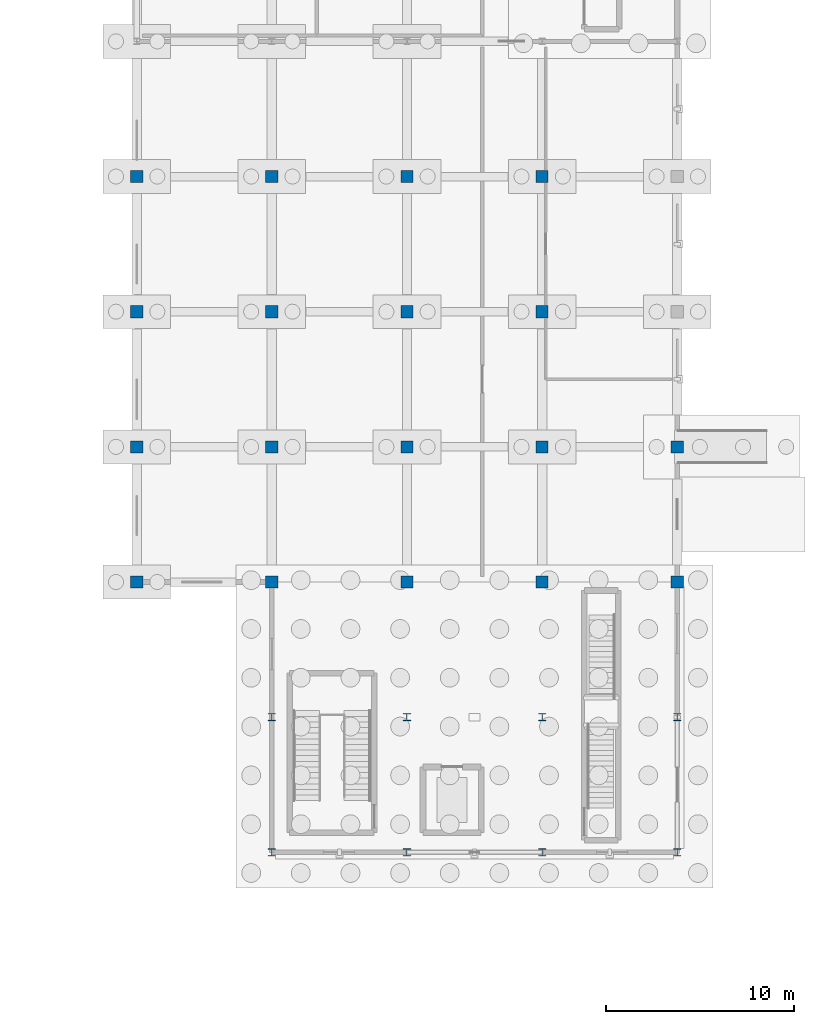
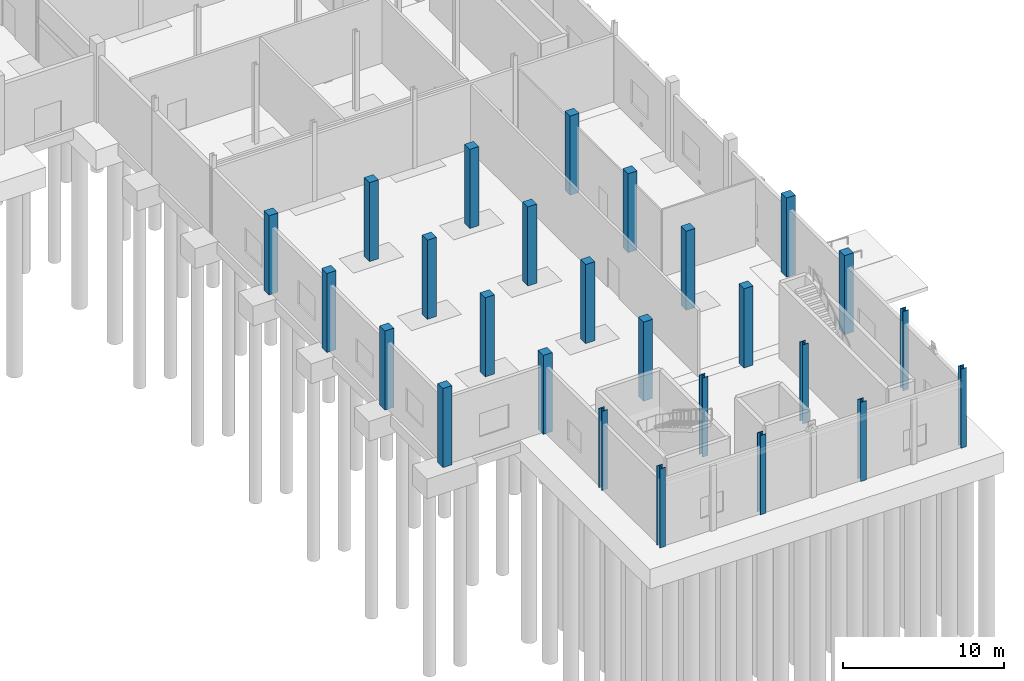
# One storey, part 11 of 45: 26 columns.
"""IFC4 building model written with IfcOpenShell, lengths in metres."""

from ifc_helpers import new_model, si_unit, direction, frame, origin, origin_2d, place, context, subcontext, project, spatial, rectangle, i_section, extrude, material, material_profile, profile_set, type_object, element, save


model = new_model("IFC4")

# Units and contexts
model_context = context("Model", 3, precision=1e-05, world=origin(), true_north=direction((0.0, 1.0)))
body_context = subcontext(model_context, "Body", "Model", "MODEL_VIEW")
ifc_project = project(units=[si_unit("LENGTHUNIT", "METRE"), si_unit("AREAUNIT", "SQUARE_METRE"), si_unit("VOLUMEUNIT", "CUBIC_METRE"), si_unit("PLANEANGLEUNIT", "RADIAN"), si_unit("MASSUNIT", "GRAM", prefix="KILO")], contexts=[model_context])

# Site, building, storey
site_placement = place(None, origin())
site = spatial("IfcSite", under=ifc_project, at=site_placement, CompositionType="ELEMENT")
building_placement = place(site_placement, origin())
building = spatial("IfcBuilding", under=site, at=building_placement, Name="Yarey Park Central Fire Station", CompositionType="ELEMENT")
storey_placement = place(building_placement, origin())
storey = spatial("IfcBuildingStorey", under=building, at=storey_placement, Name="L01", CompositionType="ELEMENT", Elevation=0.0)

# Columns
ifc_material_1 = material(Name="Concrete C40/50", Category="concrete")
ifc_material_profile_1 = material_profile(ifc_material_1, rectangle(XDim=0.64990234375, YDim=0.64990234375, at=origin_2d()), Name="RC 650x650")
ifc_profile_set_1 = profile_set([ifc_material_profile_1], Name="Concrete C40/50")
column_type_1 = type_object("IfcColumnType", Name="STR_COL_RC650_EXT", PredefinedType="COLUMN", material=ifc_profile_set_1)
for number, where, z_axis, x_axis, name in (
    (1, (136.800048828125, 14.39990234375, 0.0), (0.0, 0.0, 1.0), (1.0, 0.0, 0.0), "COL_L01_X1368_Y144"),
    (2, (136.800048828125, 21.60009765625, 0.0), (0.0, 0.0, 1.0), (1.0, 0.0, 0.0), "COL_L01_X1368_Y216"),
    (3, (136.800048828125, 28.800048828125, 0.0), (0.0, 0.0, 1.0), (1.0, 0.0, 0.0), "COL_L01_X1368_Y288"),
    (4, (136.800048828125, 36.0, 0.0), (0.0, 0.0, 1.0), (1.0, 0.0, 0.0), "COL_L01_X1368_Y360"),
    (5, (144.0, 14.39990234375, 0.0), (0.0, 0.0, 1.0), (1.0, 0.0, 0.0), "COL_L01_X1440_Y144"),
    (6, (151.199951171875, 14.39990234375, 0.0), (0.0, 0.0, 1.0), (1.0, 0.0, 0.0), "COL_L01_X1512_Y144"),
    (7, (158.39990234375, 14.39990234375, 0.0), (0.0, 0.0, 1.0), (1.0, 0.0, 0.0), "COL_L01_X1584_Y144"),
    (8, (165.60009765625, 14.39990234375, 0.0), (0.0, 0.0, 1.0), (1.0, 0.0, 0.0), "COL_L01_X1656_Y144"),
    (9, (165.60009765625, 21.60009765625, 0.0), (0.0, 0.0, 1.0), (1.0, 0.0, 0.0), "COL_L01_X1656_Y216"),
):
    element("IfcColumn", number, at=place(storey_placement, frame(where, z_axis=z_axis, x_axis=x_axis)), inside=storey, type_object=column_type_1, Name=name, PredefinedType="COLUMN", context=body_context, shape_type="SweptSolid", body=[
        extrude(rectangle(XDim=0.64990234375, YDim=0.64990234375, at=origin_2d()), origin(), (0.0, 0.0, 1.0), 6.0),
    ])
ifc_material_profile_2 = material_profile(ifc_material_1, rectangle(XDim=0.64990234375, YDim=0.64990234375, at=origin_2d()), Name="RC 650x650")
ifc_profile_set_2 = profile_set([ifc_material_profile_2], Name="Concrete C40/50")
column_type_2 = type_object("IfcColumnType", Name="STR_COL_RC650_INT", PredefinedType="COLUMN", material=ifc_profile_set_2)
for number, where, z_axis, x_axis, name in (
    (10, (144.0, 21.60009765625, 0.0), (0.0, 0.0, 1.0), (1.0, 0.0, 0.0), "COL_L01_X1440_Y216"),
    (11, (144.0, 28.800048828125, 0.0), (0.0, 0.0, 1.0), (1.0, 0.0, 0.0), "COL_L01_X1440_Y288"),
    (12, (144.0, 36.0, 0.0), (0.0, 0.0, 1.0), (1.0, 0.0, 0.0), "COL_L01_X1440_Y360"),
    (13, (151.199951171875, 21.60009765625, 0.0), (0.0, 0.0, 1.0), (1.0, 0.0, 0.0), "COL_L01_X1512_Y216"),
    (14, (151.199951171875, 28.800048828125, 0.0), (0.0, 0.0, 1.0), (1.0, 0.0, 0.0), "COL_L01_X1512_Y288"),
    (15, (151.199951171875, 36.0, 0.0), (0.0, 0.0, 1.0), (1.0, 0.0, 0.0), "COL_L01_X1512_Y360"),
    (16, (158.39990234375, 21.60009765625, 0.0), (0.0, 0.0, 1.0), (1.0, 0.0, 0.0), "COL_L01_X1584_Y216"),
    (17, (158.39990234375, 28.800048828125, 0.0), (0.0, 0.0, 1.0), (1.0, 0.0, 0.0), "COL_L01_X1584_Y288"),
    (18, (158.39990234375, 36.0, 0.0), (0.0, 0.0, 1.0), (1.0, 0.0, 0.0), "COL_L01_X1584_Y360"),
):
    element("IfcColumn", number, at=place(storey_placement, frame(where, z_axis=z_axis, x_axis=x_axis)), inside=storey, type_object=column_type_2, Name=name, PredefinedType="COLUMN", context=body_context, shape_type="SweptSolid", body=[
        extrude(rectangle(XDim=0.64990234375, YDim=0.64990234375, at=origin_2d()), origin(), (0.0, 0.0, 1.0), 6.0),
    ])
ifc_material_2 = material(Name="Steel ASTM A992 Gr. 50", Category="steel")
ifc_material_profile_3 = material_profile(ifc_material_2, i_section(OverallWidth=0.404052734375, OverallDepth=0.406982421875, WebThickness=0.027099609375, FlangeThickness=0.043701171875, at=origin_2d()), Name="W360x347")
ifc_profile_set_3 = profile_set([ifc_material_profile_3], Name="Steel ASTM A992 Gr. 50")
column_type_3 = type_object("IfcColumnType", Name="STR_COL_W360_EXT", PredefinedType="COLUMN", material=ifc_profile_set_3)
for number, where, z_axis, x_axis, name in (
    (19, (144.0, 0.0, 0.0), (0.0, 0.0, 1.0), (1.0, 0.0, 0.0), "COL_L01_X1440_Y0"),
    (20, (144.0, 7.199951171875, 0.0), (0.0, 0.0, 1.0), (1.0, 0.0, 0.0), "COL_L01_X1440_Y72"),
    (21, (151.199951171875, 0.0, 0.0), (0.0, 0.0, 1.0), (1.0, 0.0, 0.0), "COL_L01_X1512_Y0"),
    (22, (158.39990234375, 0.0, 0.0), (0.0, 0.0, 1.0), (1.0, 0.0, 0.0), "COL_L01_X1584_Y0"),
    (23, (165.60009765625, 0.0, 0.0), (0.0, 0.0, 1.0), (1.0, 0.0, 0.0), "COL_L01_X1656_Y0"),
    (24, (165.60009765625, 7.199951171875, 0.0), (0.0, 0.0, 1.0), (1.0, 0.0, 0.0), "COL_L01_X1656_Y72"),
):
    element("IfcColumn", number, at=place(storey_placement, frame(where, z_axis=z_axis, x_axis=x_axis)), inside=storey, type_object=column_type_3, Name=name, PredefinedType="COLUMN", context=body_context, shape_type="SweptSolid", body=[
        extrude(i_section(OverallWidth=0.404052734375, OverallDepth=0.406982421875, WebThickness=0.027099609375, FlangeThickness=0.043701171875, at=origin_2d()), origin(), (0.0, 0.0, 1.0), 6.0),
    ])
ifc_material_profile_4 = material_profile(ifc_material_2, i_section(OverallWidth=0.404052734375, OverallDepth=0.406982421875, WebThickness=0.027099609375, FlangeThickness=0.043701171875, at=origin_2d()), Name="W360x347")
ifc_profile_set_4 = profile_set([ifc_material_profile_4], Name="Steel ASTM A992 Gr. 50")
column_type_4 = type_object("IfcColumnType", Name="STR_COL_W360_INT", PredefinedType="COLUMN", material=ifc_profile_set_4)
for number, where, z_axis, x_axis, name in (
    (25, (151.199951171875, 7.199951171875, 0.0), (0.0, 0.0, 1.0), (1.0, 0.0, 0.0), "COL_L01_X1512_Y72"),
    (26, (158.39990234375, 7.199951171875, 0.0), (0.0, 0.0, 1.0), (1.0, 0.0, 0.0), "COL_L01_X1584_Y72"),
):
    element("IfcColumn", number, at=place(storey_placement, frame(where, z_axis=z_axis, x_axis=x_axis)), inside=storey, type_object=column_type_4, Name=name, PredefinedType="COLUMN", context=body_context, shape_type="SweptSolid", body=[
        extrude(i_section(OverallWidth=0.404052734375, OverallDepth=0.406982421875, WebThickness=0.027099609375, FlangeThickness=0.043701171875, at=origin_2d()), origin(), (0.0, 0.0, 1.0), 6.0),
    ])

save(model, "model.ifc")
